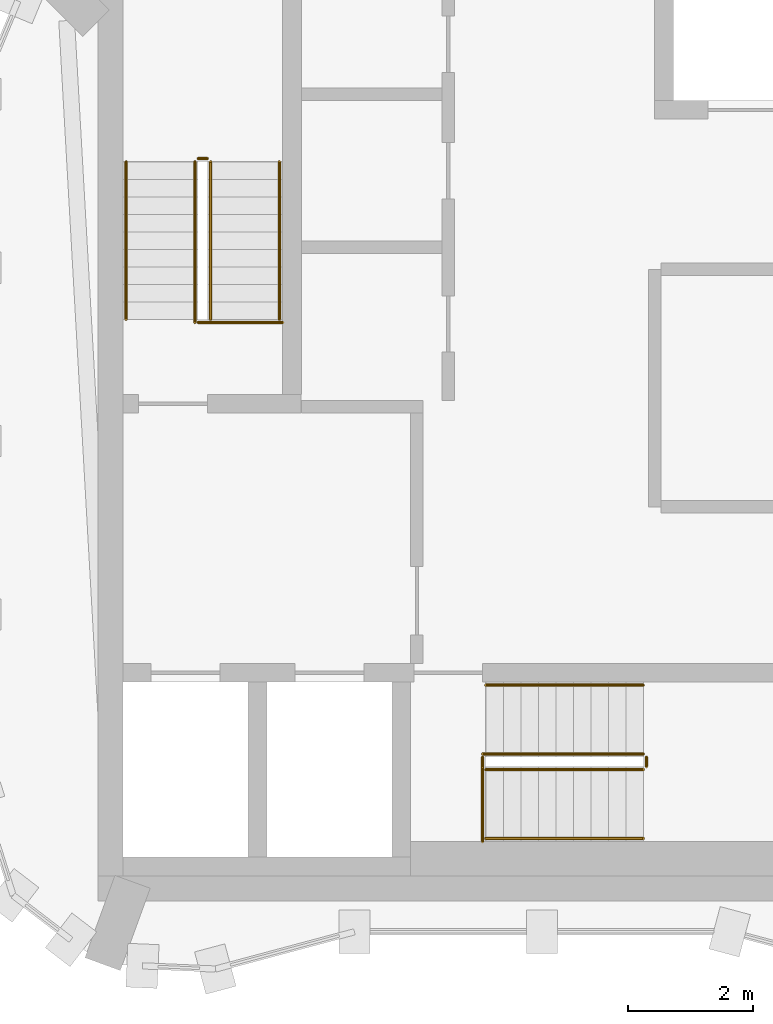
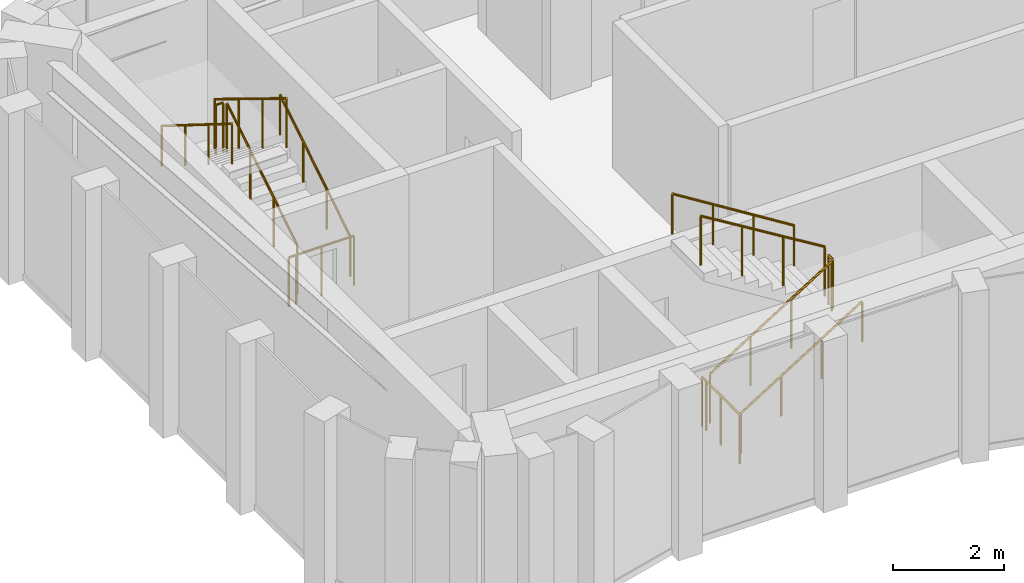
# One storey, part 5 of 5: 14 railings.
"""IFC4 building model written with IfcOpenShell, lengths in metres."""

from ifc_helpers import new_model, si_unit, direction, frame, origin, origin_2d, place, context, subcontext, project, spatial, circle, extrude, material, type_object, element, save


model = new_model("IFC4")

# Units and contexts
model_context = context("Model", 3, precision=1e-05, world=origin(), true_north=direction((0.0, 1.0)))
body_context = subcontext(model_context, "Body", "Model", "MODEL_VIEW")
ifc_project = project(units=[si_unit("LENGTHUNIT", "METRE"), si_unit("AREAUNIT", "SQUARE_METRE"), si_unit("VOLUMEUNIT", "CUBIC_METRE"), si_unit("PLANEANGLEUNIT", "RADIAN"), si_unit("MASSUNIT", "GRAM", prefix="KILO")], contexts=[model_context])

# Site, building, storey
site_placement = place(None, origin())
site = spatial("IfcSite", under=ifc_project, at=site_placement, CompositionType="ELEMENT")
building_placement = place(site_placement, origin())
building = spatial("IfcBuilding", under=site, at=building_placement, Name="Plateau Cross Towers", CompositionType="ELEMENT")
storey_placement = place(building_placement, frame((0.0, 0.0, 308.89990234375)))
storey = spatial("IfcBuildingStorey", under=building, at=storey_placement, Name="L82 Crown 3", CompositionType="ELEMENT", Elevation=308.89990234375)

# Railings
ifc_material_1 = material(Name="Stainless steel and toughened glass", Category="steel")
railing_type_1 = type_object("IfcRailingType", Name="RL-GUARD-1100", PredefinedType="GUARDRAIL", material=ifc_material_1)
railing_1_placement = place(storey_placement, frame((4.85009765625, 11.35009765625, 0.0)))
element("IfcRailing", 1, at=railing_1_placement, inside=storey, type_object=railing_type_1, Name="L82 Crown 3 ST-1 top well guard 1", PredefinedType="GUARDRAIL", context=body_context, shape_type="SweptSolid", body=[
    extrude(circle(Radius=0.02392578125, at=origin_2d()), frame((0.0, 0.0, 1.076171875), z_axis=(-1.0, 0.0, 0.0), x_axis=(0.0, -1.0, 0.0)), (0.0, 0.0, 1.0), 1.35009765625),
    extrude(circle(Radius=0.02099609375, at=origin_2d()), origin(), (0.0, 0.0, 1.0), 1.052001953125),
    extrude(circle(Radius=0.02099609375, at=origin_2d()), frame((-0.675048828125, 0.0, 0.0)), (0.0, 0.0, 1.0), 1.052001953125),
    extrude(circle(Radius=0.02099609375, at=origin_2d()), frame((-1.35009765625, 0.0, 0.0)), (0.0, 0.0, 1.0), 1.052001953125),
])
railing_2_placement = place(storey_placement, frame((8.050048828125, 3.050048828125, 0.0)))
element("IfcRailing", 2, at=railing_2_placement, inside=storey, type_object=railing_type_1, Name="L82 Crown 3 ST-2 top well guard 1", PredefinedType="GUARDRAIL", context=body_context, shape_type="SweptSolid", body=[
    extrude(circle(Radius=0.02392578125, at=origin_2d()), frame((0.0, 0.0, 1.076171875), z_axis=(0.0, 1.0, 0.0), x_axis=(-1.0, 0.0, 0.0)), (0.0, 0.0, 1.0), 1.349853515625),
    extrude(circle(Radius=0.02099609375, at=origin_2d()), origin(), (0.0, 0.0, 1.0), 1.052001953125),
    extrude(circle(Radius=0.02099609375, at=origin_2d()), frame((0.0, 0.6748046875, 0.0)), (0.0, 0.0, 1.0), 1.052001953125),
    extrude(circle(Radius=0.02099609375, at=origin_2d()), frame((0.0, 1.349853515625, 0.0)), (0.0, 0.0, 1.0), 1.052001953125),
])
railing_3_placement = place(storey_placement, frame((3.699951171875, 11.39990234375, 0.175048828125)))
element("IfcRailing", 3, at=railing_3_placement, inside=storey, type_object=railing_type_1, Name="L82 Crown 3 ST-1 stair guard 1", PredefinedType="GUARDRAIL", context=body_context, shape_type="SweptSolid", body=[
    extrude(circle(Radius=0.02392578125, at=origin_2d()), frame((0.0, 0.0, 1.076171875), z_axis=(0.0, 0.848007534815, 0.529984170421), x_axis=(-1.0, 0.0, 0.0)), (0.0, 0.0, 1.0), 2.9716796875),
    extrude(circle(Radius=0.02099609375, at=origin_2d()), origin(), (0.0, 0.0, 1.0), 1.052001953125),
    extrude(circle(Radius=0.02099609375, at=origin_2d()), frame((0.0, 0.840087890625, 0.52490234375)), (0.0, 0.0, 1.0), 1.052001953125),
    extrude(circle(Radius=0.02099609375, at=origin_2d()), frame((0.0, 1.679931640625, 1.050048828125)), (0.0, 0.0, 1.0), 1.052001953125),
    extrude(circle(Radius=0.02099609375, at=origin_2d()), frame((0.0, 2.52001953125, 1.574951171875)), (0.0, 0.0, 1.0), 1.052001953125),
])
railing_4_placement = place(storey_placement, frame((3.64990234375, 13.969970703125, 1.75)))
element("IfcRailing", 4, at=railing_4_placement, inside=storey, type_object=railing_type_1, Name="L82 Crown 3 ST-1 stair guard 2", PredefinedType="GUARDRAIL", context=body_context, shape_type="SweptSolid", body=[
    extrude(circle(Radius=0.02392578125, at=origin_2d()), frame((0.0, 0.0, 1.076171875), z_axis=(-1.0, 0.0, 0.0), x_axis=(0.0, -1.0, 0.0)), (0.0, 0.0, 1.0), 0.14990234375),
    extrude(circle(Radius=0.02099609375, at=origin_2d()), origin(), (0.0, 0.0, 1.0), 1.052001953125),
    extrude(circle(Radius=0.02099609375, at=origin_2d()), frame((-0.14990234375, 0.0, 0.0)), (0.0, 0.0, 1.0), 1.052001953125),
])
railing_5_placement = place(storey_placement, frame((3.449951171875, 13.919921875, 1.925048828125)))
element("IfcRailing", 5, at=railing_5_placement, inside=storey, type_object=railing_type_1, Name="L82 Crown 3 ST-1 stair guard 3", PredefinedType="GUARDRAIL", context=body_context, shape_type="SweptSolid", body=[
    extrude(circle(Radius=0.02392578125, at=origin_2d()), frame((0.0, 0.0, 1.076171875), z_axis=(0.0, -0.852616386126, 0.522537365276), x_axis=(1.0, 0.0, 0.0)), (0.0, 0.0, 1.0), 3.01416015625),
    extrude(circle(Radius=0.02099609375, at=origin_2d()), origin(), (0.0, 0.0, 1.0), 1.052001953125),
    extrude(circle(Radius=0.02099609375, at=origin_2d()), frame((0.0, -0.856689453125, 0.52490234375)), (0.0, 0.0, 1.0), 1.052001953125),
    extrude(circle(Radius=0.02099609375, at=origin_2d()), frame((0.0, -1.713134765625, 1.050048828125)), (0.0, 0.0, 1.0), 1.052001953125),
    extrude(circle(Radius=0.02099609375, at=origin_2d()), frame((0.0, -2.56982421875, 1.574951171875)), (0.0, 0.0, 1.0), 1.052001953125),
])
railing_6_placement = place(storey_placement, frame((3.64990234375, 11.35009765625, 0.0)))
element("IfcRailing", 6, at=railing_6_placement, inside=storey, type_object=railing_type_1, Name="L82 Crown 3 ST-1 stair guard 4", PredefinedType="GUARDRAIL", context=body_context, shape_type="SweptSolid", body=[
    extrude(circle(Radius=0.02392578125, at=origin_2d()), frame((0.0, 0.0, 1.076171875), z_axis=(-1.0, 0.0, 0.0), x_axis=(0.0, -1.0, 0.0)), (0.0, 0.0, 1.0), 0.14990234375),
    extrude(circle(Radius=0.02099609375, at=origin_2d()), origin(), (0.0, 0.0, 1.0), 1.052001953125),
    extrude(circle(Radius=0.02099609375, at=origin_2d()), frame((-0.14990234375, 0.0, 0.0)), (0.0, 0.0, 1.0), 1.052001953125),
])
railing_7_placement = place(storey_placement, frame((8.10009765625, 4.199951171875, 0.175048828125)))
element("IfcRailing", 7, at=railing_7_placement, inside=storey, type_object=railing_type_1, Name="L82 Crown 3 ST-2 stair guard 1", PredefinedType="GUARDRAIL", context=body_context, shape_type="SweptSolid", body=[
    extrude(circle(Radius=0.02392578125, at=origin_2d()), frame((0.0, 0.0, 1.076171875), z_axis=(0.848007534815, 0.0, 0.529984170421), x_axis=(0.0, 1.0, 0.0)), (0.0, 0.0, 1.0), 2.9716796875),
    extrude(circle(Radius=0.02099609375, at=origin_2d()), origin(), (0.0, 0.0, 1.0), 1.052001953125),
    extrude(circle(Radius=0.02099609375, at=origin_2d()), frame((0.840087890625, 0.0, 0.52490234375)), (0.0, 0.0, 1.0), 1.052001953125),
    extrude(circle(Radius=0.02099609375, at=origin_2d()), frame((1.679931640625, 0.0, 1.050048828125)), (0.0, 0.0, 1.0), 1.052001953125),
    extrude(circle(Radius=0.02099609375, at=origin_2d()), frame((2.52001953125, 0.0, 1.574951171875)), (0.0, 0.0, 1.0), 1.052001953125),
])
railing_8_placement = place(storey_placement, frame((10.669921875, 4.25, 1.75)))
element("IfcRailing", 8, at=railing_8_placement, inside=storey, type_object=railing_type_1, Name="L82 Crown 3 ST-2 stair guard 2", PredefinedType="GUARDRAIL", context=body_context, shape_type="SweptSolid", body=[
    extrude(circle(Radius=0.02392578125, at=origin_2d()), frame((0.0, 0.0, 1.076171875), z_axis=(0.0, 1.0, 0.0), x_axis=(-1.0, 0.0, 0.0)), (0.0, 0.0, 1.0), 0.14990234375),
    extrude(circle(Radius=0.02099609375, at=origin_2d()), origin(), (0.0, 0.0, 1.0), 1.052001953125),
    extrude(circle(Radius=0.02099609375, at=origin_2d()), frame((0.0, 0.14990234375, 0.0)), (0.0, 0.0, 1.0), 1.052001953125),
])
railing_9_placement = place(storey_placement, frame((10.6201171875, 4.449951171875, 1.925048828125)))
element("IfcRailing", 9, at=railing_9_placement, inside=storey, type_object=railing_type_1, Name="L82 Crown 3 ST-2 stair guard 3", PredefinedType="GUARDRAIL", context=body_context, shape_type="SweptSolid", body=[
    extrude(circle(Radius=0.02392578125, at=origin_2d()), frame((0.0, 0.0, 1.076171875), z_axis=(-0.852638500773, 0.0, 0.522501279423), x_axis=(0.0, -1.0, 0.0)), (0.0, 0.0, 1.0), 3.01416015625),
    extrude(circle(Radius=0.02099609375, at=origin_2d()), origin(), (0.0, 0.0, 1.0), 1.052001953125),
    extrude(circle(Radius=0.02099609375, at=origin_2d()), frame((-0.856689453125, 0.0, 0.52490234375)), (0.0, 0.0, 1.0), 1.052001953125),
    extrude(circle(Radius=0.02099609375, at=origin_2d()), frame((-1.71337890625, 0.0, 1.050048828125)), (0.0, 0.0, 1.0), 1.052001953125),
    extrude(circle(Radius=0.02099609375, at=origin_2d()), frame((-2.570068359375, 0.0, 1.574951171875)), (0.0, 0.0, 1.0), 1.052001953125),
])
railing_10_placement = place(storey_placement, frame((8.050048828125, 4.25, 0.0)))
element("IfcRailing", 10, at=railing_10_placement, inside=storey, type_object=railing_type_1, Name="L82 Crown 3 ST-2 stair guard 4", PredefinedType="GUARDRAIL", context=body_context, shape_type="SweptSolid", body=[
    extrude(circle(Radius=0.02392578125, at=origin_2d()), frame((0.0, 0.0, 1.076171875), z_axis=(0.0, 1.0, 0.0), x_axis=(-1.0, 0.0, 0.0)), (0.0, 0.0, 1.0), 0.14990234375),
    extrude(circle(Radius=0.02099609375, at=origin_2d()), origin(), (0.0, 0.0, 1.0), 1.052001953125),
    extrude(circle(Radius=0.02099609375, at=origin_2d()), frame((0.0, 0.14990234375, 0.0)), (0.0, 0.0, 1.0), 1.052001953125),
])
ifc_material_2 = material(Name="Black anodised aluminium", Category="aluminium")
railing_type_2 = type_object("IfcRailingType", Name="RL-HANDRAIL-900", PredefinedType="HANDRAIL", material=ifc_material_2)
railing_11_placement = place(storey_placement, frame((4.800048828125, 11.39990234375, 0.175048828125)))
element("IfcRailing", 11, at=railing_11_placement, inside=storey, type_object=railing_type_2, Name="L82 Crown 3 ST-1 stair handrail 1", PredefinedType="HANDRAIL", context=body_context, shape_type="SweptSolid", body=[
    extrude(circle(Radius=0.02392578125, at=origin_2d()), frame((0.0, 0.0, 0.8759765625), z_axis=(0.0, 0.848007534815, 0.529984170421), x_axis=(-1.0, 0.0, 0.0)), (0.0, 0.0, 1.0), 2.9716796875),
    extrude(circle(Radius=0.02099609375, at=origin_2d()), origin(), (0.0, 0.0, 1.0), 0.851806640625),
    extrude(circle(Radius=0.02099609375, at=origin_2d()), frame((0.0, 0.840087890625, 0.52490234375)), (0.0, 0.0, 1.0), 0.851806640625),
    extrude(circle(Radius=0.02099609375, at=origin_2d()), frame((0.0, 1.679931640625, 1.050048828125)), (0.0, 0.0, 1.0), 0.851806640625),
    extrude(circle(Radius=0.02099609375, at=origin_2d()), frame((0.0, 2.52001953125, 1.574951171875)), (0.0, 0.0, 1.0), 0.851806640625),
])
railing_12_placement = place(storey_placement, frame((2.35009765625, 13.919921875, 1.925048828125)))
element("IfcRailing", 12, at=railing_12_placement, inside=storey, type_object=railing_type_2, Name="L82 Crown 3 ST-1 stair handrail 2", PredefinedType="HANDRAIL", context=body_context, shape_type="SweptSolid", body=[
    extrude(circle(Radius=0.02392578125, at=origin_2d()), frame((0.0, 0.0, 0.8759765625), z_axis=(0.0, -0.848007534815, 0.529984170421), x_axis=(1.0, 0.0, 0.0)), (0.0, 0.0, 1.0), 2.9716796875),
    extrude(circle(Radius=0.02099609375, at=origin_2d()), origin(), (0.0, 0.0, 1.0), 0.851806640625),
    extrude(circle(Radius=0.02099609375, at=origin_2d()), frame((0.0, -0.840087890625, 0.52490234375)), (0.0, 0.0, 1.0), 0.851806640625),
    extrude(circle(Radius=0.02099609375, at=origin_2d()), frame((0.0, -1.679931640625, 1.050048828125)), (0.0, 0.0, 1.0), 0.851806640625),
    extrude(circle(Radius=0.02099609375, at=origin_2d()), frame((0.0, -2.52001953125, 1.574951171875)), (0.0, 0.0, 1.0), 0.851806640625),
])
railing_13_placement = place(storey_placement, frame((8.10009765625, 3.10009765625, 0.175048828125)))
element("IfcRailing", 13, at=railing_13_placement, inside=storey, type_object=railing_type_2, Name="L82 Crown 3 ST-2 stair handrail 1", PredefinedType="HANDRAIL", context=body_context, shape_type="SweptSolid", body=[
    extrude(circle(Radius=0.02392578125, at=origin_2d()), frame((0.0, 0.0, 0.8759765625), z_axis=(0.848007534815, 0.0, 0.529984170421), x_axis=(0.0, 1.0, 0.0)), (0.0, 0.0, 1.0), 2.9716796875),
    extrude(circle(Radius=0.02099609375, at=origin_2d()), origin(), (0.0, 0.0, 1.0), 0.851806640625),
    extrude(circle(Radius=0.02099609375, at=origin_2d()), frame((0.840087890625, 0.0, 0.52490234375)), (0.0, 0.0, 1.0), 0.851806640625),
    extrude(circle(Radius=0.02099609375, at=origin_2d()), frame((1.679931640625, 0.0, 1.050048828125)), (0.0, 0.0, 1.0), 0.851806640625),
    extrude(circle(Radius=0.02099609375, at=origin_2d()), frame((2.52001953125, 0.0, 1.574951171875)), (0.0, 0.0, 1.0), 0.851806640625),
])
railing_14_placement = place(storey_placement, frame((10.6201171875, 5.550048828125, 1.925048828125)))
element("IfcRailing", 14, at=railing_14_placement, inside=storey, type_object=railing_type_2, Name="L82 Crown 3 ST-2 stair handrail 2", PredefinedType="HANDRAIL", context=body_context, shape_type="SweptSolid", body=[
    extrude(circle(Radius=0.02392578125, at=origin_2d()), frame((0.0, 0.0, 0.8759765625), z_axis=(-0.848007534815, 0.0, 0.529984170421), x_axis=(0.0, -1.0, 0.0)), (0.0, 0.0, 1.0), 2.9716796875),
    extrude(circle(Radius=0.02099609375, at=origin_2d()), origin(), (0.0, 0.0, 1.0), 0.851806640625),
    extrude(circle(Radius=0.02099609375, at=origin_2d()), frame((-0.840087890625, 0.0, 0.52490234375)), (0.0, 0.0, 1.0), 0.851806640625),
    extrude(circle(Radius=0.02099609375, at=origin_2d()), frame((-1.679931640625, 0.0, 1.050048828125)), (0.0, 0.0, 1.0), 0.851806640625),
    extrude(circle(Radius=0.02099609375, at=origin_2d()), frame((-2.52001953125, 0.0, 1.574951171875)), (0.0, 0.0, 1.0), 0.851806640625),
])

save(model, "model.ifc")
